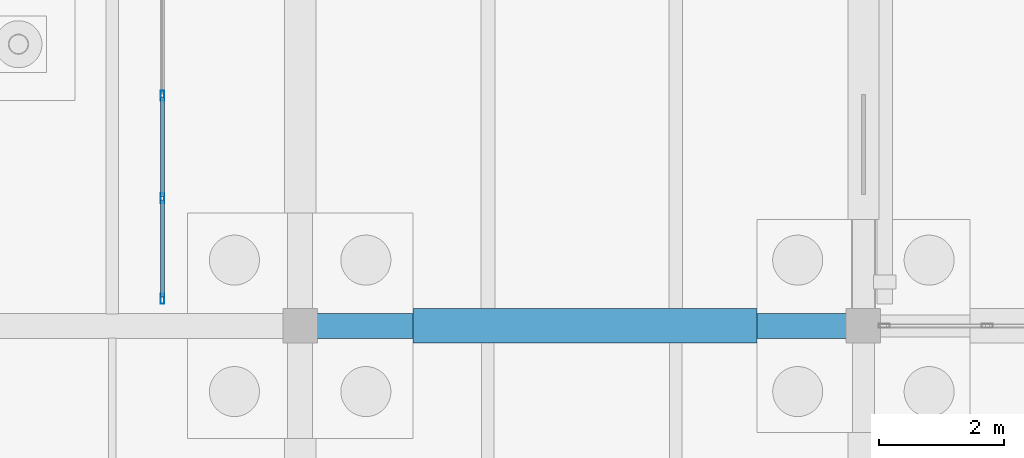
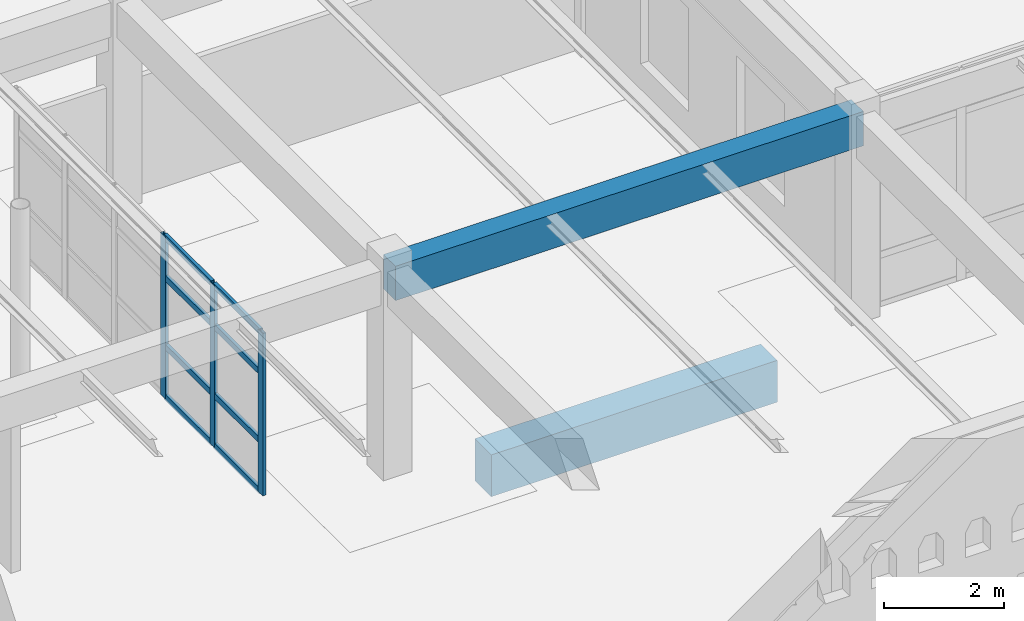
# One storey, part 25 of 186: 11 members, 2 beams, 1 element without a shape of its own.
"""IFC4 building model written with IfcOpenShell, lengths in metres."""

from ifc_helpers import new_model, si_unit, direction, frame, origin, origin_2d, place, context, subcontext, project, spatial, rectangle, hollow_rectangle, extrude, material, layer, layer_set, material_profile, profile_set, type_object, element, aggregate, save


model = new_model("IFC4")

# Units and contexts
model_context = context("Model", 3, precision=1e-05, world=origin(), true_north=direction((0.0, 1.0)))
body_context = subcontext(model_context, "Body", "Model", "MODEL_VIEW")
ifc_project = project(units=[si_unit("LENGTHUNIT", "METRE"), si_unit("AREAUNIT", "SQUARE_METRE"), si_unit("VOLUMEUNIT", "CUBIC_METRE"), si_unit("PLANEANGLEUNIT", "RADIAN"), si_unit("MASSUNIT", "GRAM", prefix="KILO")], contexts=[model_context])

# Site, building, storey
site_placement = place(None, origin())
site = spatial("IfcSite", under=ifc_project, at=site_placement, CompositionType="ELEMENT")
building_placement = place(site_placement, origin())
building = spatial("IfcBuilding", under=site, at=building_placement, Name="Ornek Quay Market", CompositionType="ELEMENT")
storey_placement = place(building_placement, origin())
storey = spatial("IfcBuildingStorey", under=building, at=storey_placement, Name="L00", CompositionType="ELEMENT", Elevation=0.0)

# Beams
ifc_material_1 = material(Name="Concrete C35/45", Category="concrete")
ifc_material_profile_1 = material_profile(ifc_material_1, rectangle(XDim=0.550048828125, YDim=0.85009765625, at=origin_2d()), Name="RC 550x850", Category="concrete")
ifc_profile_set_1 = profile_set([ifc_material_profile_1], Name="Concrete C35/45")
beam_type_1 = type_object("IfcBeamType", Name="BM-GB-550x850", PredefinedType="BEAM", material=ifc_profile_set_1)
beam_1_placement = place(storey_placement, frame((19.800048828125, 29.0, -0.625), z_axis=(1.0, 0.0, 0.0), x_axis=(0.0, 1.0, 0.0)))
element("IfcBeam", 1, at=beam_1_placement, inside=storey, type_object=beam_type_1, Name="Ground tie beam GB-005", PredefinedType="BEAM", context=body_context, shape_type="SweptSolid", body=[
    extrude(rectangle(XDim=0.550048828125, YDim=0.85009765625, at=origin_2d()), origin(), (0.0, 0.0, 1.0), 5.5),
])
ifc_material_profile_2 = material_profile(ifc_material_1, rectangle(XDim=0.39990234375, YDim=0.699951171875, at=origin_2d()), Name="RC 400x700", Category="concrete")
ifc_profile_set_2 = profile_set([ifc_material_profile_2], Name="Concrete C35/45")
beam_type_2 = type_object("IfcBeamType", Name="BM-WW-400x700", PredefinedType="BEAM", material=ifc_profile_set_2)
beam_2_placement = place(storey_placement, frame((18.0, 29.0, 3.8701171875), z_axis=(1.0, 0.0, 0.0), x_axis=(0.0, 1.0, 0.0)))
element("IfcBeam", 2, at=beam_2_placement, inside=storey, type_object=beam_type_2, Name="Primary beam B-WW1-003", PredefinedType="BEAM", context=body_context, shape_type="SweptSolid", body=[
    extrude(rectangle(XDim=0.39990234375, YDim=0.699951171875, at=origin_2d()), origin(), (0.0, 0.0, 1.0), 9.0),
])

# Curtain wall, members
ifc_material_2 = material(Name="Anodised bronze aluminium and triple low-e glass", Category="aluminium")
ifc_layer = layer(ifc_material_2, 0.179931640625, Name="Anodised bronze aluminium and triple low-e glass", Category="aluminium")
ifc_layer_set = layer_set([ifc_layer], Name="Anodised bronze aluminium and triple low-e glass")
curtain_wall_type = type_object("IfcCurtainWallType", Name="CW-CONC-MOD1500", PredefinedType="USERDEFINED", material=ifc_layer_set)
curtain_wall_placement = place(storey_placement, origin())
curtain_wall = element("IfcCurtainWall", 3, at=curtain_wall_placement, inside=storey, type_object=curtain_wall_type, Name="Curtain wall CW-134", ObjectType="CURTAIN WALL", PredefinedType="USERDEFINED")
ifc_material_3 = material(Name="Anodised aluminium 6063-T6", Category="aluminium")
ifc_material_profile_3 = material_profile(ifc_material_3, hollow_rectangle(XDim=0.06005859375, YDim=0.159912109375, WallThickness=0.00390625, at=origin_2d()), Name="CW-MUL-60x160", Category="aluminium")
ifc_profile_set_3 = profile_set([ifc_material_profile_3], Name="Anodised aluminium 6063-T6")
member_type_1 = type_object("IfcMemberType", Name="CW-MUL-60x160", PredefinedType="MULLION", material=ifc_profile_set_3)
member_1_placement = place(storey_placement, frame((15.800048828125, 29.429931640625, 0.0), z_axis=(0.0, 0.0, 1.0), x_axis=(-1.0, 0.0, 0.0)))
member_1 = element("IfcMember", 4, at=member_1_placement, type_object=member_type_1, Name="CW-134 mullion 1", PredefinedType="MULLION", context=body_context, shape_type="SweptSolid", body=[
    extrude(hollow_rectangle(XDim=0.06005859375, YDim=0.159912109375, WallThickness=0.00390625, at=origin_2d()), origin(), (0.0, 0.0, 1.0), 3.300048828125),
])
member_2_placement = place(storey_placement, frame((15.800048828125, 31.0400390625, 0.0), z_axis=(0.0, 0.0, 1.0), x_axis=(-1.0, 0.0, 0.0)))
member_2 = element("IfcMember", 5, at=member_2_placement, type_object=member_type_1, Name="CW-134 mullion 2", PredefinedType="MULLION", context=body_context, shape_type="SweptSolid", body=[
    extrude(hollow_rectangle(XDim=0.06005859375, YDim=0.159912109375, WallThickness=0.00390625, at=origin_2d()), origin(), (0.0, 0.0, 1.0), 3.300048828125),
])
member_3_placement = place(storey_placement, frame((15.800048828125, 32.679931640625, 0.0), z_axis=(0.0, 0.0, 1.0), x_axis=(-1.0, 0.0, 0.0)))
member_3 = element("IfcMember", 6, at=member_3_placement, type_object=member_type_1, Name="CW-134 mullion 3", PredefinedType="MULLION", context=body_context, shape_type="SweptSolid", body=[
    extrude(hollow_rectangle(XDim=0.06005859375, YDim=0.159912109375, WallThickness=0.00390625, at=origin_2d()), origin(), (0.0, 0.0, 1.0), 3.300048828125),
])
ifc_material_profile_4 = material_profile(ifc_material_3, hollow_rectangle(XDim=0.06005859375, YDim=0.1201171875, WallThickness=0.00390625, at=origin_2d()), Name="CW-TRN-60x120", Category="aluminium")
ifc_profile_set_4 = profile_set([ifc_material_profile_4], Name="Anodised aluminium 6063-T6")
member_type_2 = type_object("IfcMemberType", Name="CW-TRN-60x120", PredefinedType="USERDEFINED", material=ifc_profile_set_4)
member_4_placement = place(storey_placement, frame((15.800048828125, 29.4599609375, 0.030029296875), z_axis=(0.0, 1.0, 0.0), x_axis=(-1.0, 0.0, 0.0)))
member_4 = element("IfcMember", 7, at=member_4_placement, type_object=member_type_2, Name="CW-134 transom 1.1", ObjectType="TRANSOM", PredefinedType="USERDEFINED", context=body_context, shape_type="SweptSolid", body=[
    extrude(hollow_rectangle(XDim=0.06005859375, YDim=0.1201171875, WallThickness=0.00390625, at=origin_2d()), origin(), (0.0, 0.0, 1.0), 1.550048828125),
])
member_5_placement = place(storey_placement, frame((15.800048828125, 29.4599609375, 1.050048828125), z_axis=(0.0, 1.0, 0.0), x_axis=(-1.0, 0.0, 0.0)))
member_5 = element("IfcMember", 8, at=member_5_placement, type_object=member_type_2, Name="CW-134 transom 1.2", ObjectType="TRANSOM", PredefinedType="USERDEFINED", context=body_context, shape_type="SweptSolid", body=[
    extrude(hollow_rectangle(XDim=0.06005859375, YDim=0.1201171875, WallThickness=0.00390625, at=origin_2d()), origin(), (0.0, 0.0, 1.0), 1.550048828125),
])
member_6_placement = place(storey_placement, frame((15.800048828125, 29.4599609375, 2.449951171875), z_axis=(0.0, 1.0, 0.0), x_axis=(-1.0, 0.0, 0.0)))
member_6 = element("IfcMember", 9, at=member_6_placement, type_object=member_type_2, Name="CW-134 transom 1.3", ObjectType="TRANSOM", PredefinedType="USERDEFINED", context=body_context, shape_type="SweptSolid", body=[
    extrude(hollow_rectangle(XDim=0.06005859375, YDim=0.1201171875, WallThickness=0.00390625, at=origin_2d()), origin(), (0.0, 0.0, 1.0), 1.550048828125),
])
member_7_placement = place(storey_placement, frame((15.800048828125, 29.4599609375, 3.27001953125), z_axis=(0.0, 1.0, 0.0), x_axis=(-1.0, 0.0, 0.0)))
member_7 = element("IfcMember", 10, at=member_7_placement, type_object=member_type_2, Name="CW-134 transom 1.4", ObjectType="TRANSOM", PredefinedType="USERDEFINED", context=body_context, shape_type="SweptSolid", body=[
    extrude(hollow_rectangle(XDim=0.06005859375, YDim=0.1201171875, WallThickness=0.00390625, at=origin_2d()), origin(), (0.0, 0.0, 1.0), 1.550048828125),
])
member_8_placement = place(storey_placement, frame((15.800048828125, 31.070068359375, 0.030029296875), z_axis=(0.0, 1.0, 0.0), x_axis=(-1.0, 0.0, 0.0)))
member_8 = element("IfcMember", 11, at=member_8_placement, type_object=member_type_2, Name="CW-134 transom 2.1", ObjectType="TRANSOM", PredefinedType="USERDEFINED", context=body_context, shape_type="SweptSolid", body=[
    extrude(hollow_rectangle(XDim=0.06005859375, YDim=0.1201171875, WallThickness=0.00390625, at=origin_2d()), origin(), (0.0, 0.0, 1.0), 1.579833984375),
])
member_9_placement = place(storey_placement, frame((15.800048828125, 31.070068359375, 1.050048828125), z_axis=(0.0, 1.0, 0.0), x_axis=(-1.0, 0.0, 0.0)))
member_9 = element("IfcMember", 12, at=member_9_placement, type_object=member_type_2, Name="CW-134 transom 2.2", ObjectType="TRANSOM", PredefinedType="USERDEFINED", context=body_context, shape_type="SweptSolid", body=[
    extrude(hollow_rectangle(XDim=0.06005859375, YDim=0.1201171875, WallThickness=0.00390625, at=origin_2d()), origin(), (0.0, 0.0, 1.0), 1.579833984375),
])
member_10_placement = place(storey_placement, frame((15.800048828125, 31.070068359375, 2.449951171875), z_axis=(0.0, 1.0, 0.0), x_axis=(-1.0, 0.0, 0.0)))
member_10 = element("IfcMember", 13, at=member_10_placement, type_object=member_type_2, Name="CW-134 transom 2.3", ObjectType="TRANSOM", PredefinedType="USERDEFINED", context=body_context, shape_type="SweptSolid", body=[
    extrude(hollow_rectangle(XDim=0.06005859375, YDim=0.1201171875, WallThickness=0.00390625, at=origin_2d()), origin(), (0.0, 0.0, 1.0), 1.579833984375),
])
member_11_placement = place(storey_placement, frame((15.800048828125, 31.070068359375, 3.27001953125), z_axis=(0.0, 1.0, 0.0), x_axis=(-1.0, 0.0, 0.0)))
member_11 = element("IfcMember", 14, at=member_11_placement, type_object=member_type_2, Name="CW-134 transom 2.4", ObjectType="TRANSOM", PredefinedType="USERDEFINED", context=body_context, shape_type="SweptSolid", body=[
    extrude(hollow_rectangle(XDim=0.06005859375, YDim=0.1201171875, WallThickness=0.00390625, at=origin_2d()), origin(), (0.0, 0.0, 1.0), 1.579833984375),
])
aggregate(curtain_wall, [member_1, member_2, member_3, member_4, member_5, member_6, member_7, member_8, member_9, member_10, member_11])

save(model, "model.ifc")
